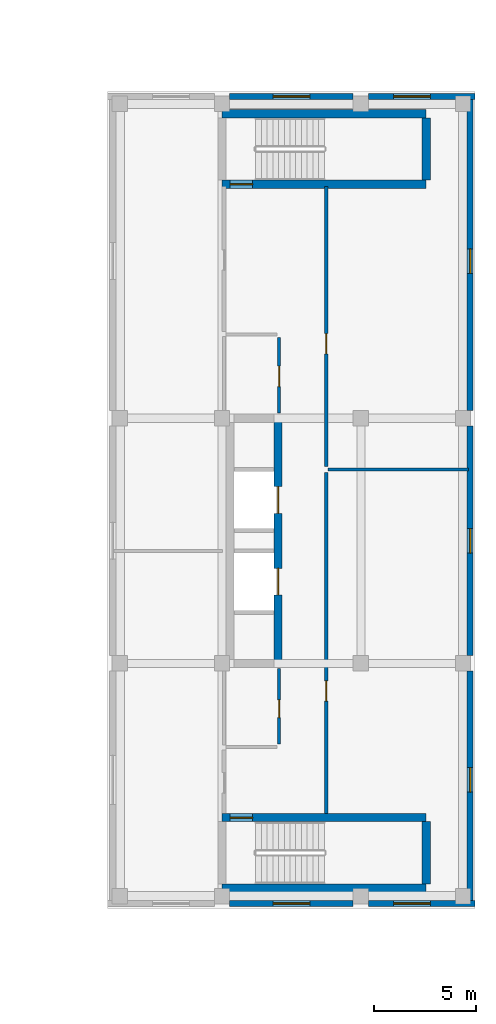
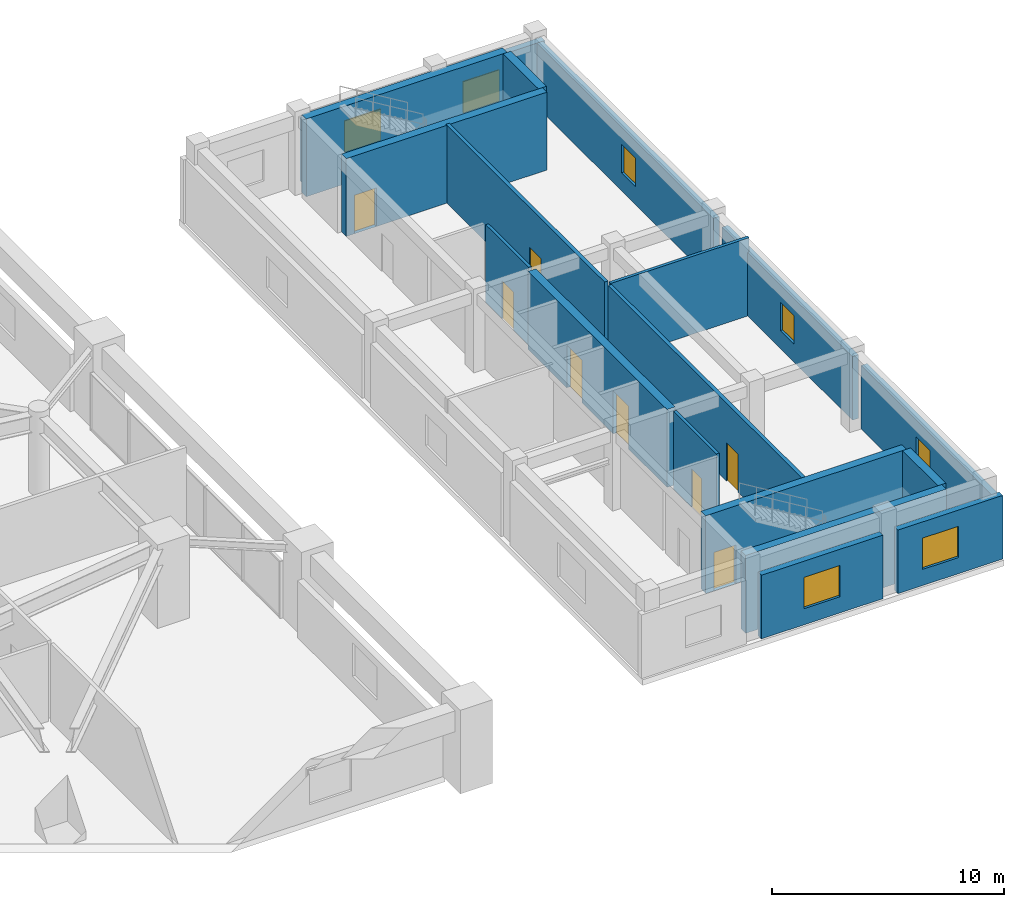
# One storey, part 17 of 22: 19 walls, 8 doors, 7 windows, 15 openings.
"""IFC4 building model written with IfcOpenShell, lengths in metres."""

from ifc_helpers import new_model, si_unit, direction, frame, frame_2d, origin, place, context, subcontext, project, spatial, rectangle, extrude, source, transform, mapped, material, layer, layer_set, type_object, element, fill, save


model = new_model("IFC4")

# Units and contexts
model_context = context("Model", 3, precision=1e-05, world=origin(), true_north=direction((0.0, 1.0)))
body_context = subcontext(model_context, "Body", "Model", "MODEL_VIEW")
ifc_project = project(units=[si_unit("LENGTHUNIT", "METRE"), si_unit("AREAUNIT", "SQUARE_METRE"), si_unit("VOLUMEUNIT", "CUBIC_METRE"), si_unit("PLANEANGLEUNIT", "RADIAN"), si_unit("MASSUNIT", "GRAM", prefix="KILO")], contexts=[model_context])

# Site, building, storey
site_placement = place(None, origin())
site = spatial("IfcSite", under=ifc_project, at=site_placement, CompositionType="ELEMENT")
building_placement = place(site_placement, origin())
building = spatial("IfcBuilding", under=site, at=building_placement, Name="Veraguas Prism Commons", CompositionType="ELEMENT")
storey_placement = place(building_placement, frame((0.0, 0.0, 5.199951171875)))
storey = spatial("IfcBuildingStorey", under=building, at=storey_placement, Name="L01", CompositionType="ELEMENT", Elevation=5.199951171875)

# Wall, openings, doors
ifc_material_1 = material(Name="Concrete C50/60", Category="concrete")
ifc_layer_1 = layer(ifc_material_1, 0.39990234375, Name="Clinic and Mid Core Shear Wall RC 400", Category="concrete")
ifc_layer_set_1 = layer_set([ifc_layer_1], Name="Concrete C50/60")
wall_type_1 = type_object("IfcWallType", Name="Clinic and Mid Core Shear Wall RC 400", PredefinedType="SHEAR", material=ifc_layer_set_1)
wall_1_placement = place(storey_placement, frame((65.35009765625, 16.0, 0.0), z_axis=(0.0, 0.0, 1.0), x_axis=(0.0, 1.0, 0.0)))
wall_1 = element("IfcWall", 1, at=wall_1_placement, inside=storey, type_object=wall_type_1, Name="Health Centre Lift Core Front Shear Wall L01", PredefinedType="SHEAR", context=body_context, shape_type="SweptSolid", body=[
    extrude(rectangle(XDim=12.0, YDim=0.39990234375, at=frame_2d((6.0, 0.0))), origin(), (0.0, 0.0, 1.0), 4.10009765625),
])
opening_1_placement = place(wall_1_placement, frame((3.35009765625, 0.0, 0.0)))
opening_1 = element("IfcOpeningElement", 2, at=opening_1_placement, cuts=wall_1, Name="Opening LD-02", PredefinedType="OPENING", context=body_context, shape_type="SweptSolid", body=[
    extrude(rectangle(XDim=1.300048828125, YDim=2.25, at=frame_2d((0.64990234375, 1.125))), frame((0.0, 0.2099609375, 0.0), z_axis=(0.0, -1.0, 0.0), x_axis=(1.0, 0.0, 0.0)), (0.0, 0.0, 1.0), 0.419921875),
])
opening_2_placement = place(wall_1_placement, frame((7.35009765625, 0.0, 0.0)))
opening_2 = element("IfcOpeningElement", 3, at=opening_2_placement, cuts=wall_1, Name="Opening LD-02", PredefinedType="OPENING", context=body_context, shape_type="SweptSolid", body=[
    extrude(rectangle(XDim=1.300048828125, YDim=2.25, at=frame_2d((0.64990234375, 1.125))), frame((0.0, 0.2099609375, 0.0), z_axis=(0.0, -1.0, 0.0), x_axis=(1.0, 0.0, 0.0)), (0.0, 0.0, 1.0), 0.419921875),
])
ifc_material_2 = material(Name="Stainless steel AISI 316", Category="steel")
door_type_1 = type_object("IfcDoorType", Name="Firefighting Lift Sliding Landing Door 1300x2250", OperationType="NOTDEFINED", PredefinedType="DOOR", material=ifc_material_2)
shared_shape_1 = source(origin(), body_context, "Body", "SweptSolid", [
    extrude(rectangle(XDim=1.300048828125, YDim=2.25, at=frame_2d((0.64990234375, 1.125))), frame((0.0, 0.02490234375, 0.0), z_axis=(0.0, -1.0, 0.0), x_axis=(1.0, 0.0, 0.0)), (0.0, 0.0, 1.0), 0.050048828125),
])
door_1_placement = place(opening_1_placement, origin())
door_1 = element("IfcDoor", 4, at=door_1_placement, inside=storey, type_object=door_type_1, Name="Health Centre Lift CL-1 Door L01", OperationType="SLIDING_TO_LEFT", OverallHeight=2.25, OverallWidth=1.300048828125, PredefinedType="DOOR", context=body_context, shape_type="MappedRepresentation", body=[
    mapped(shared_shape_1, transform((0.0, 0.0, 0.0), scale=1.0)),
])
fill(opening_1, door_1)
door_2_placement = place(opening_2_placement, origin())
door_2 = element("IfcDoor", 5, at=door_2_placement, inside=storey, type_object=door_type_1, Name="Health Centre Lift CL-2 Door L01", OperationType="SLIDING_TO_LEFT", OverallHeight=2.25, OverallWidth=1.300048828125, PredefinedType="DOOR", context=body_context, shape_type="MappedRepresentation", body=[
    mapped(shared_shape_1, transform((0.0, 0.0, 0.0), scale=1.0)),
])
fill(opening_2, door_2)

# Wall
wall_2_placement = place(storey_placement, frame((62.60009765625, 5.0, 0.0), z_axis=(0.0, 0.0, 1.0), x_axis=(1.0, 0.0, 0.0)))
element("IfcWall", 6, at=wall_2_placement, inside=storey, type_object=wall_type_1, Name="ST-H1 South Shear Wall L01", PredefinedType="SHEAR", context=body_context, shape_type="SweptSolid", body=[
    extrude(rectangle(XDim=10.0, YDim=0.39990234375, at=frame_2d((5.0, 0.0))), origin(), (0.0, 0.0, 1.0), 4.10009765625),
])

# Wall, opening, door
wall_3_placement = place(storey_placement, frame((62.60009765625, 8.449951171875, 0.0), z_axis=(0.0, 0.0, 1.0), x_axis=(1.0, 0.0, 0.0)))
wall_3 = element("IfcWall", 7, at=wall_3_placement, inside=storey, type_object=wall_type_1, Name="ST-H1 North Shear Wall L01", PredefinedType="SHEAR", context=body_context, shape_type="SweptSolid", body=[
    extrude(rectangle(XDim=10.0, YDim=0.39990234375, at=frame_2d((5.0, 0.0))), origin(), (0.0, 0.0, 1.0), 4.10009765625),
])
opening_3_placement = place(wall_3_placement, frame((0.39990234375, 0.0, 0.0)))
opening_3 = element("IfcOpeningElement", 8, at=opening_3_placement, cuts=wall_3, Name="Opening DR-05", PredefinedType="OPENING", context=body_context, shape_type="SweptSolid", body=[
    extrude(rectangle(XDim=1.10009765625, YDim=2.030029296875, at=frame_2d((0.550048828125, 1.01513671875))), frame((0.0, 0.2099609375, 0.0), z_axis=(0.0, -1.0, 0.0), x_axis=(1.0, 0.0, 0.0)), (0.0, 0.0, 1.0), 0.419921875),
])
ifc_material_3 = material(Name="Steel fire-rated door assembly", Category="steel")
door_type_2 = type_object("IfcDoorType", Name="Protected Stair and Refuge Fire Door 1100x2030", OperationType="NOTDEFINED", PredefinedType="DOOR", material=ifc_material_3)
shared_shape_2 = source(origin(), body_context, "Body", "SweptSolid", [
    extrude(rectangle(XDim=1.10009765625, YDim=2.030029296875, at=frame_2d((0.550048828125, 1.01513671875))), frame((0.0, 0.02490234375, 0.0), z_axis=(0.0, -1.0, 0.0), x_axis=(1.0, 0.0, 0.0)), (0.0, 0.0, 1.0), 0.050048828125),
])
door_3_placement = place(opening_3_placement, origin())
door_3 = element("IfcDoor", 9, at=door_3_placement, inside=storey, type_object=door_type_2, Name="Health Centre Stair ST-H1 Door L01", OperationType="SINGLE_SWING_LEFT", OverallHeight=2.030029296875, OverallWidth=1.10009765625, PredefinedType="DOOR", context=body_context, shape_type="MappedRepresentation", body=[
    mapped(shared_shape_2, transform((0.0, 0.0, 0.0), scale=1.0)),
])
fill(opening_3, door_3)

# Wall
wall_4_placement = place(storey_placement, frame((72.60009765625, 5.199951171875, 0.0), z_axis=(0.0, 0.0, 1.0), x_axis=(0.0, 1.0, 0.0)))
element("IfcWall", 10, at=wall_4_placement, inside=storey, type_object=wall_type_1, Name="ST-H1 East Shear Wall L01", PredefinedType="SHEAR", context=body_context, shape_type="SweptSolid", body=[
    extrude(rectangle(XDim=3.050048828125, YDim=0.39990234375, at=frame_2d((1.52490234375, 0.0))), origin(), (0.0, 0.0, 1.0), 4.10009765625),
])

# Wall, opening, door
wall_5_placement = place(storey_placement, frame((62.60009765625, 39.4599609375, 0.0), z_axis=(0.0, 0.0, 1.0), x_axis=(1.0, 0.0, 0.0)))
wall_5 = element("IfcWall", 11, at=wall_5_placement, inside=storey, type_object=wall_type_1, Name="ST-H2 South Shear Wall L01", PredefinedType="SHEAR", context=body_context, shape_type="SweptSolid", body=[
    extrude(rectangle(XDim=10.0, YDim=0.39990234375, at=frame_2d((5.0, 0.0))), origin(), (0.0, 0.0, 1.0), 4.10009765625),
])
opening_4_placement = place(wall_5_placement, frame((0.39990234375, 0.0, 0.0)))
opening_4 = element("IfcOpeningElement", 12, at=opening_4_placement, cuts=wall_5, Name="Opening DR-05", PredefinedType="OPENING", context=body_context, shape_type="SweptSolid", body=[
    extrude(rectangle(XDim=1.10009765625, YDim=2.030029296875, at=frame_2d((0.550048828125, 1.01513671875))), frame((0.0, 0.2099609375, 0.0), z_axis=(0.0, -1.0, 0.0), x_axis=(1.0, 0.0, 0.0)), (0.0, 0.0, 1.0), 0.419921875),
])
door_4_placement = place(opening_4_placement, origin())
door_4 = element("IfcDoor", 13, at=door_4_placement, inside=storey, type_object=door_type_2, Name="Health Centre Stair ST-H2 Door L01", OperationType="SINGLE_SWING_RIGHT", OverallHeight=2.030029296875, OverallWidth=1.10009765625, PredefinedType="DOOR", context=body_context, shape_type="MappedRepresentation", body=[
    mapped(shared_shape_2, transform((0.0, 0.0, 0.0), scale=1.0)),
])
fill(opening_4, door_4)

# Walls
wall_6_placement = place(storey_placement, frame((62.60009765625, 42.909912109375, 0.0), z_axis=(0.0, 0.0, 1.0), x_axis=(1.0, 0.0, 0.0)))
element("IfcWall", 14, at=wall_6_placement, inside=storey, type_object=wall_type_1, Name="ST-H2 North Shear Wall L01", PredefinedType="SHEAR", context=body_context, shape_type="SweptSolid", body=[
    extrude(rectangle(XDim=10.0, YDim=0.39990234375, at=frame_2d((5.0, 0.0))), origin(), (0.0, 0.0, 1.0), 4.10009765625),
])
wall_7_placement = place(storey_placement, frame((72.60009765625, 39.659912109375, 0.0), z_axis=(0.0, 0.0, 1.0), x_axis=(0.0, 1.0, 0.0)))
element("IfcWall", 15, at=wall_7_placement, inside=storey, type_object=wall_type_1, Name="ST-H2 East Shear Wall L01", PredefinedType="SHEAR", context=body_context, shape_type="SweptSolid", body=[
    extrude(rectangle(XDim=3.050048828125, YDim=0.39990234375, at=frame_2d((1.52490234375, 0.0))), origin(), (0.0, 0.0, 1.0), 4.10009765625),
])

# Wall, opening, door
ifc_material_4 = material(Name="Autoclaved aerated masonry block 10 MPa", Category="masonry")
ifc_layer_2 = layer(ifc_material_4, 0.179931640625, Name="Corridor and Inter-Tenancy Partition 180", Category="masonry")
ifc_layer_set_2 = layer_set([ifc_layer_2], Name="Autoclaved aerated masonry block 10 MPa")
wall_type_2 = type_object("IfcWallType", Name="Corridor and Inter-Tenancy Partition 180", PredefinedType="PARTITIONING", material=ifc_layer_set_2)
wall_8_placement = place(storey_placement, frame((67.699951171875, 8.64990234375, 0.0), z_axis=(0.0, 0.0, 1.0), x_axis=(0.0, 1.0, 0.0)))
wall_8 = element("IfcWall", 16, at=wall_8_placement, inside=storey, type_object=wall_type_2, Name="WL-L01-HCPT08", PredefinedType="PARTITIONING", context=body_context, shape_type="SweptSolid", body=[
    extrude(rectangle(XDim=16.7001953125, YDim=0.179931640625, at=frame_2d((8.35009765625, 0.0))), origin(), (0.0, 0.0, 1.0), 4.10009765625),
])
opening_5_placement = place(wall_8_placement, frame((5.5, 0.0, 0.0)))
opening_5 = element("IfcOpeningElement", 17, at=opening_5_placement, cuts=wall_8, Name="Opening DR-13", PredefinedType="OPENING", context=body_context, shape_type="SweptSolid", body=[
    extrude(rectangle(XDim=1.0, YDim=2.010009765625, at=frame_2d((0.5, 1.0048828125))), frame((0.0, 0.099853515625, 0.0), z_axis=(0.0, -1.0, 0.0), x_axis=(1.0, 0.0, 0.0)), (0.0, 0.0, 1.0), 0.199951171875),
])
door_type_3 = type_object("IfcDoorType", Name="Core Accessible WC and Clinic Fire Door 1000x2010", OperationType="NOTDEFINED", PredefinedType="DOOR", material=ifc_material_3)
shared_shape_3 = source(origin(), body_context, "Body", "SweptSolid", [
    extrude(rectangle(XDim=1.0, YDim=2.010009765625, at=frame_2d((0.5, 1.0048828125))), frame((0.0, 0.02490234375, 0.0), z_axis=(0.0, -1.0, 0.0), x_axis=(1.0, 0.0, 0.0)), (0.0, 0.0, 1.0), 0.050048828125),
])
door_5_placement = place(opening_5_placement, origin())
door_5 = element("IfcDoor", 18, at=door_5_placement, inside=storey, type_object=door_type_3, Name="Vaccination and Nursing Suite Door", OperationType="SINGLE_SWING_RIGHT", OverallHeight=2.010009765625, OverallWidth=1.0, PredefinedType="DOOR", context=body_context, shape_type="MappedRepresentation", body=[
    mapped(shared_shape_3, transform((0.0, 0.0, 0.0), scale=1.0)),
])
fill(opening_5, door_5)

wall_9_placement = place(storey_placement, frame((67.699951171875, 25.64990234375, 0.0), z_axis=(0.0, 0.0, 1.0), x_axis=(0.0, 1.0, 0.0)))
wall_9 = element("IfcWall", 19, at=wall_9_placement, inside=storey, type_object=wall_type_2, Name="WL-L01-HCPT09", PredefinedType="PARTITIONING", context=body_context, shape_type="SweptSolid", body=[
    extrude(rectangle(XDim=13.7001953125, YDim=0.179931640625, at=frame_2d((6.85009765625, 0.0))), origin(), (0.0, 0.0, 1.0), 4.10009765625),
])
opening_6_placement = place(wall_9_placement, frame((5.5, 0.0, 0.0)))
opening_6 = element("IfcOpeningElement", 20, at=opening_6_placement, cuts=wall_9, Name="Opening DR-13", PredefinedType="OPENING", context=body_context, shape_type="SweptSolid", body=[
    extrude(rectangle(XDim=1.0, YDim=2.010009765625, at=frame_2d((0.5, 1.0048828125))), frame((0.0, 0.099853515625, 0.0), z_axis=(0.0, -1.0, 0.0), x_axis=(1.0, 0.0, 0.0)), (0.0, 0.0, 1.0), 0.199951171875),
])
door_6_placement = place(opening_6_placement, origin())
door_6 = element("IfcDoor", 21, at=door_6_placement, inside=storey, type_object=door_type_3, Name="Obstetric Ultrasound Exam Room Door", OperationType="SINGLE_SWING_LEFT", OverallHeight=2.010009765625, OverallWidth=1.0, PredefinedType="DOOR", context=body_context, shape_type="MappedRepresentation", body=[
    mapped(shared_shape_3, transform((0.0, 0.0, 0.0), scale=1.0)),
])
fill(opening_6, door_6)

# Wall, opening, window
ifc_material_5 = material(Name="Precast concrete C40/50", Category="concrete")
ifc_layer_3 = layer(ifc_material_5, 0.300048828125, Name="External Precast Facade Wall 300", Category="concrete")
ifc_layer_set_3 = layer_set([ifc_layer_3], Name="Precast concrete C40/50")
wall_type_3 = type_object("IfcWallType", Name="External Precast Facade Wall 300", PredefinedType="SOLIDWALL", material=ifc_layer_set_3)
wall_10_placement = place(storey_placement, frame((62.97509765625, 4.25, 0.0), z_axis=(0.0, 0.0, 1.0), x_axis=(1.0, 0.0, 0.0)))
wall_10 = element("IfcWall", 22, at=wall_10_placement, inside=storey, type_object=wall_type_3, Name="Health Centre South Wall L01-02", PredefinedType="SOLIDWALL", context=body_context, shape_type="SweptSolid", body=[
    extrude(rectangle(XDim=6.0498046875, YDim=0.300048828125, at=frame_2d((3.02490234375, 0.0))), origin(), (0.0, 0.0, 1.0), 3.35009765625),
])
opening_7_placement = place(wall_10_placement, frame((2.125, 0.0, 0.85009765625)))
opening_7 = element("IfcOpeningElement", 23, at=opening_7_placement, cuts=wall_10, Name="Opening WN-01", PredefinedType="OPENING", context=body_context, shape_type="SweptSolid", body=[
    extrude(rectangle(XDim=1.800048828125, YDim=1.64990234375, at=frame_2d((0.89990234375, 0.824951171875))), frame((0.0, 0.159912109375, 0.0), z_axis=(0.0, -1.0, 0.0), x_axis=(1.0, 0.0, 0.0)), (0.0, 0.0, 1.0), 0.320068359375),
])
ifc_material_6 = material(Name="Laminated low-e glass", Category="glass")
window_type_1 = type_object("IfcWindowType", Name="Clinic Consulting Double Window 1800x1650", PartitioningType="DOUBLE_PANEL_VERTICAL", PredefinedType="WINDOW", material=ifc_material_6)
shared_shape_4 = source(origin(), body_context, "Body", "SweptSolid", [
    extrude(rectangle(XDim=1.800048828125, YDim=1.64990234375, at=frame_2d((0.89990234375, 0.824951171875))), frame((0.0, 0.030029296875, 0.0), z_axis=(0.0, -1.0, 0.0), x_axis=(1.0, 0.0, 0.0)), (0.0, 0.0, 1.0), 0.06005859375),
])
window_1_placement = place(opening_7_placement, origin())
window_1 = element("IfcWindow", 24, at=window_1_placement, inside=storey, type_object=window_type_1, Name="Health Centre South Window L01-02", OverallHeight=1.64990234375, OverallWidth=1.800048828125, PartitioningType="DOUBLE_PANEL_VERTICAL", PredefinedType="WINDOW", context=body_context, shape_type="MappedRepresentation", body=[
    mapped(shared_shape_4, transform((0.0, 0.0, 0.0), scale=1.0)),
])
fill(opening_7, window_1)

wall_11_placement = place(storey_placement, frame((69.77490234375, 4.25, 0.0), z_axis=(0.0, 0.0, 1.0), x_axis=(1.0, 0.0, 0.0)))
wall_11 = element("IfcWall", 25, at=wall_11_placement, inside=storey, type_object=wall_type_3, Name="Health Centre South Wall L01-03", PredefinedType="SOLIDWALL", context=body_context, shape_type="SweptSolid", body=[
    extrude(rectangle(XDim=5.22509765625, YDim=0.300048828125, at=frame_2d((2.612548828125, 0.0))), origin(), (0.0, 0.0, 1.0), 3.35009765625),
])
opening_8_placement = place(wall_11_placement, frame((1.22509765625, 0.0, 0.85009765625)))
opening_8 = element("IfcOpeningElement", 26, at=opening_8_placement, cuts=wall_11, Name="Opening WN-01", PredefinedType="OPENING", context=body_context, shape_type="SweptSolid", body=[
    extrude(rectangle(XDim=1.800048828125, YDim=1.64990234375, at=frame_2d((0.89990234375, 0.824951171875))), frame((0.0, 0.159912109375, 0.0), z_axis=(0.0, -1.0, 0.0), x_axis=(1.0, 0.0, 0.0)), (0.0, 0.0, 1.0), 0.320068359375),
])
window_2_placement = place(opening_8_placement, origin())
window_2 = element("IfcWindow", 27, at=window_2_placement, inside=storey, type_object=window_type_1, Name="Health Centre South Window L01-03", OverallHeight=1.64990234375, OverallWidth=1.800048828125, PartitioningType="DOUBLE_PANEL_VERTICAL", PredefinedType="WINDOW", context=body_context, shape_type="MappedRepresentation", body=[
    mapped(shared_shape_4, transform((0.0, 0.0, 0.0), scale=1.0)),
])
fill(opening_8, window_2)

wall_12_placement = place(storey_placement, frame((75.0, 43.75, 0.0), z_axis=(0.0, 0.0, 1.0), x_axis=(-1.0, 0.0, 0.0)))
wall_12 = element("IfcWall", 28, at=wall_12_placement, inside=storey, type_object=wall_type_3, Name="Health Centre North Wall L01-01", PredefinedType="SOLIDWALL", context=body_context, shape_type="SweptSolid", body=[
    extrude(rectangle(XDim=5.22509765625, YDim=0.300048828125, at=frame_2d((2.612548828125, 0.0))), origin(), (0.0, 0.0, 1.0), 3.35009765625),
])
opening_9_placement = place(wall_12_placement, frame((2.199951171875, 0.0, 0.85009765625)))
opening_9 = element("IfcOpeningElement", 29, at=opening_9_placement, cuts=wall_12, Name="Opening WN-01", PredefinedType="OPENING", context=body_context, shape_type="SweptSolid", body=[
    extrude(rectangle(XDim=1.800048828125, YDim=1.64990234375, at=frame_2d((0.89990234375, 0.824951171875))), frame((0.0, 0.159912109375, 0.0), z_axis=(0.0, -1.0, 0.0), x_axis=(1.0, 0.0, 0.0)), (0.0, 0.0, 1.0), 0.320068359375),
])
window_3_placement = place(opening_9_placement, origin())
window_3 = element("IfcWindow", 30, at=window_3_placement, inside=storey, type_object=window_type_1, Name="Health Centre North Window L01-01", OverallHeight=1.64990234375, OverallWidth=1.800048828125, PartitioningType="DOUBLE_PANEL_VERTICAL", PredefinedType="WINDOW", context=body_context, shape_type="MappedRepresentation", body=[
    mapped(shared_shape_4, transform((0.0, 0.0, 0.0), scale=1.0)),
])
fill(opening_9, window_3)

wall_13_placement = place(storey_placement, frame((69.02490234375, 43.75, 0.0), z_axis=(0.0, 0.0, 1.0), x_axis=(-1.0, 0.0, 0.0)))
wall_13 = element("IfcWall", 31, at=wall_13_placement, inside=storey, type_object=wall_type_3, Name="Health Centre North Wall L01-02", PredefinedType="SOLIDWALL", context=body_context, shape_type="SweptSolid", body=[
    extrude(rectangle(XDim=6.0498046875, YDim=0.300048828125, at=frame_2d((3.02490234375, 0.0))), origin(), (0.0, 0.0, 1.0), 3.35009765625),
])
opening_10_placement = place(wall_13_placement, frame((2.125, 0.0, 0.85009765625)))
opening_10 = element("IfcOpeningElement", 32, at=opening_10_placement, cuts=wall_13, Name="Opening WN-01", PredefinedType="OPENING", context=body_context, shape_type="SweptSolid", body=[
    extrude(rectangle(XDim=1.800048828125, YDim=1.64990234375, at=frame_2d((0.89990234375, 0.824951171875))), frame((0.0, 0.159912109375, 0.0), z_axis=(0.0, -1.0, 0.0), x_axis=(1.0, 0.0, 0.0)), (0.0, 0.0, 1.0), 0.320068359375),
])
window_4_placement = place(opening_10_placement, origin())
window_4 = element("IfcWindow", 33, at=window_4_placement, inside=storey, type_object=window_type_1, Name="Health Centre North Window L01-02", OverallHeight=1.64990234375, OverallWidth=1.800048828125, PartitioningType="DOUBLE_PANEL_VERTICAL", PredefinedType="WINDOW", context=body_context, shape_type="MappedRepresentation", body=[
    mapped(shared_shape_4, transform((0.0, 0.0, 0.0), scale=1.0)),
])
fill(opening_10, window_4)

wall_14_placement = place(storey_placement, frame((74.75, 4.39990234375, 0.0), z_axis=(0.0, 0.0, 1.0), x_axis=(0.0, 1.0, 0.0)))
wall_14 = element("IfcWall", 34, at=wall_14_placement, inside=storey, type_object=wall_type_3, Name="Health Centre East Wall L01-01", PredefinedType="SOLIDWALL", context=body_context, shape_type="SweptSolid", body=[
    extrude(rectangle(XDim=11.22509765625, YDim=0.300048828125, at=frame_2d((5.612548828125, 0.0))), origin(), (0.0, 0.0, 1.0), 3.35009765625),
])
opening_11_placement = place(wall_14_placement, frame((5.300048828125, 0.0, 0.949951171875)))
opening_11 = element("IfcOpeningElement", 35, at=opening_11_placement, cuts=wall_14, Name="Opening WN-03", PredefinedType="OPENING", context=body_context, shape_type="SweptSolid", body=[
    extrude(rectangle(XDim=1.199951171875, YDim=1.5, at=frame_2d((0.60009765625, 0.75))), frame((0.0, 0.159912109375, 0.0), z_axis=(0.0, -1.0, 0.0), x_axis=(1.0, 0.0, 0.0)), (0.0, 0.0, 1.0), 0.320068359375),
])
window_type_2 = type_object("IfcWindowType", Name="Clinic Treatment Window 1200x1500", PartitioningType="SINGLE_PANEL", PredefinedType="WINDOW", material=ifc_material_6)
shared_shape_5 = source(origin(), body_context, "Body", "SweptSolid", [
    extrude(rectangle(XDim=1.199951171875, YDim=1.5, at=frame_2d((0.60009765625, 0.75))), frame((0.0, 0.030029296875, 0.0), z_axis=(0.0, -1.0, 0.0), x_axis=(1.0, 0.0, 0.0)), (0.0, 0.0, 1.0), 0.06005859375),
])
window_5_placement = place(opening_11_placement, origin())
window_5 = element("IfcWindow", 36, at=window_5_placement, inside=storey, type_object=window_type_2, Name="Health Centre East Window L01-01", OverallHeight=1.5, OverallWidth=1.199951171875, PartitioningType="SINGLE_PANEL", PredefinedType="WINDOW", context=body_context, shape_type="MappedRepresentation", body=[
    mapped(shared_shape_5, transform((0.0, 0.0, 0.0), scale=1.0)),
])
fill(opening_11, window_5)

wall_15_placement = place(storey_placement, frame((74.75, 16.375, 0.0), z_axis=(0.0, 0.0, 1.0), x_axis=(0.0, 1.0, 0.0)))
wall_15 = element("IfcWall", 37, at=wall_15_placement, inside=storey, type_object=wall_type_3, Name="Health Centre East Wall L01-02", PredefinedType="SOLIDWALL", context=body_context, shape_type="SweptSolid", body=[
    extrude(rectangle(XDim=11.25, YDim=0.300048828125, at=frame_2d((5.625, 0.0))), origin(), (0.0, 0.0, 1.0), 3.35009765625),
])
opening_12_placement = place(wall_15_placement, frame((5.02490234375, 0.0, 0.949951171875)))
opening_12 = element("IfcOpeningElement", 38, at=opening_12_placement, cuts=wall_15, Name="Opening WN-03", PredefinedType="OPENING", context=body_context, shape_type="SweptSolid", body=[
    extrude(rectangle(XDim=1.199951171875, YDim=1.5, at=frame_2d((0.60009765625, 0.75))), frame((0.0, 0.159912109375, 0.0), z_axis=(0.0, -1.0, 0.0), x_axis=(1.0, 0.0, 0.0)), (0.0, 0.0, 1.0), 0.320068359375),
])
window_6_placement = place(opening_12_placement, origin())
window_6 = element("IfcWindow", 39, at=window_6_placement, inside=storey, type_object=window_type_2, Name="Health Centre East Window L01-02", OverallHeight=1.5, OverallWidth=1.199951171875, PartitioningType="SINGLE_PANEL", PredefinedType="WINDOW", context=body_context, shape_type="MappedRepresentation", body=[
    mapped(shared_shape_5, transform((0.0, 0.0, 0.0), scale=1.0)),
])
fill(opening_12, window_6)

wall_16_placement = place(storey_placement, frame((74.75, 28.375, 0.0), z_axis=(0.0, 0.0, 1.0), x_axis=(0.0, 1.0, 0.0)))
wall_16 = element("IfcWall", 40, at=wall_16_placement, inside=storey, type_object=wall_type_3, Name="Health Centre East Wall L01-03", PredefinedType="SOLIDWALL", context=body_context, shape_type="SweptSolid", body=[
    extrude(rectangle(XDim=15.22509765625, YDim=0.300048828125, at=frame_2d((7.612548828125, 0.0))), origin(), (0.0, 0.0, 1.0), 3.35009765625),
])
opening_13_placement = place(wall_16_placement, frame((6.72509765625, 0.0, 0.949951171875)))
opening_13 = element("IfcOpeningElement", 41, at=opening_13_placement, cuts=wall_16, Name="Opening WN-03", PredefinedType="OPENING", context=body_context, shape_type="SweptSolid", body=[
    extrude(rectangle(XDim=1.199951171875, YDim=1.5, at=frame_2d((0.60009765625, 0.75))), frame((0.0, 0.159912109375, 0.0), z_axis=(0.0, -1.0, 0.0), x_axis=(1.0, 0.0, 0.0)), (0.0, 0.0, 1.0), 0.320068359375),
])
window_7_placement = place(opening_13_placement, origin())
window_7 = element("IfcWindow", 42, at=window_7_placement, inside=storey, type_object=window_type_2, Name="Health Centre East Window L01-03", OverallHeight=1.5, OverallWidth=1.199951171875, PartitioningType="SINGLE_PANEL", PredefinedType="WINDOW", context=body_context, shape_type="MappedRepresentation", body=[
    mapped(shared_shape_5, transform((0.0, 0.0, 0.0), scale=1.0)),
])
fill(opening_13, window_7)

# Wall, opening, door
ifc_material_7 = material(Name="Lightweight acoustic gypsum board")
ifc_layer_4 = layer(ifc_material_7, 0.14990234375, Name="Wet Room and Clinic Acoustic Partition 150")
ifc_layer_set_4 = layer_set([ifc_layer_4], Name="Lightweight acoustic gypsum board")
wall_type_4 = type_object("IfcWallType", Name="Wet Room and Clinic Acoustic Partition 150", PredefinedType="PARTITIONING", material=ifc_layer_set_4)
wall_17_placement = place(storey_placement, frame((65.39990234375, 12.050048828125, 0.0), z_axis=(0.0, 0.0, 1.0), x_axis=(0.0, 1.0, 0.0)))
wall_17 = element("IfcWall", 43, at=wall_17_placement, inside=storey, type_object=wall_type_4, Name="WL-L01-HCPT02", PredefinedType="PARTITIONING", context=body_context, shape_type="SweptSolid", body=[
    extrude(rectangle(XDim=3.699951171875, YDim=0.14990234375, at=frame_2d((1.85009765625, 0.0))), origin(), (0.0, 0.0, 1.0), 4.10009765625),
])
opening_14_placement = place(wall_17_placement, frame((1.300048828125, 0.0, 0.0)))
opening_14 = element("IfcOpeningElement", 44, at=opening_14_placement, cuts=wall_17, Name="Opening DR-12", PredefinedType="OPENING", context=body_context, shape_type="SweptSolid", body=[
    extrude(rectangle(XDim=0.860107421875, YDim=2.010009765625, at=frame_2d((0.43017578125, 1.0048828125))), frame((0.0, 0.0849609375, 0.0), z_axis=(0.0, -1.0, 0.0), x_axis=(1.0, 0.0, 0.0)), (0.0, 0.0, 1.0), 0.169921875),
])
door_type_4 = type_object("IfcDoorType", Name="Core WC Fire Door 860x2010", OperationType="NOTDEFINED", PredefinedType="DOOR", material=ifc_material_3)
shared_shape_6 = source(origin(), body_context, "Body", "SweptSolid", [
    extrude(rectangle(XDim=0.860107421875, YDim=2.010009765625, at=frame_2d((0.43017578125, 1.0048828125))), frame((0.0, 0.02490234375, 0.0), z_axis=(0.0, -1.0, 0.0), x_axis=(1.0, 0.0, 0.0)), (0.0, 0.0, 1.0), 0.050048828125),
])
door_7_placement = place(opening_14_placement, origin())
door_7 = element("IfcDoor", 45, at=door_7_placement, inside=storey, type_object=door_type_4, Name="Clinic WC Door L01", OperationType="SINGLE_SWING_RIGHT", OverallHeight=2.010009765625, OverallWidth=0.860107421875, PredefinedType="DOOR", context=body_context, shape_type="MappedRepresentation", body=[
    mapped(shared_shape_6, transform((0.0, 0.0, 0.0), scale=1.0)),
])
fill(opening_14, door_7)

wall_18_placement = place(storey_placement, frame((65.39990234375, 28.25, 0.0), z_axis=(0.0, 0.0, 1.0), x_axis=(0.0, 1.0, 0.0)))
wall_18 = element("IfcWall", 46, at=wall_18_placement, inside=storey, type_object=wall_type_4, Name="WL-L01-HCPT04", PredefinedType="PARTITIONING", context=body_context, shape_type="SweptSolid", body=[
    extrude(rectangle(XDim=3.699951171875, YDim=0.14990234375, at=frame_2d((1.85009765625, 0.0))), origin(), (0.0, 0.0, 1.0), 4.10009765625),
])
opening_15_placement = place(wall_18_placement, frame((1.300048828125, 0.0, 0.0)))
opening_15 = element("IfcOpeningElement", 47, at=opening_15_placement, cuts=wall_18, Name="Opening DR-13", PredefinedType="OPENING", context=body_context, shape_type="SweptSolid", body=[
    extrude(rectangle(XDim=1.0, YDim=2.010009765625, at=frame_2d((0.5, 1.0048828125))), frame((0.0, 0.0849609375, 0.0), z_axis=(0.0, -1.0, 0.0), x_axis=(1.0, 0.0, 0.0)), (0.0, 0.0, 1.0), 0.169921875),
])
door_8_placement = place(opening_15_placement, origin())
door_8 = element("IfcDoor", 48, at=door_8_placement, inside=storey, type_object=door_type_3, Name="Clinic Accessible WC Door L01", OperationType="SINGLE_SWING_LEFT", OverallHeight=2.010009765625, OverallWidth=1.0, PredefinedType="DOOR", context=body_context, shape_type="MappedRepresentation", body=[
    mapped(shared_shape_3, transform((0.0, 0.0, 0.0), scale=1.0)),
])
fill(opening_15, door_8)

# Wall
wall_19_placement = place(storey_placement, frame((67.780029296875, 25.5, 0.0), z_axis=(0.0, 0.0, 1.0), x_axis=(1.0, 0.0, 0.0)))
element("IfcWall", 49, at=wall_19_placement, inside=storey, type_object=wall_type_4, Name="WL-L01-HCPT10", PredefinedType="PARTITIONING", context=body_context, shape_type="SweptSolid", body=[
    extrude(rectangle(XDim=6.89990234375, YDim=0.14990234375, at=frame_2d((3.449951171875, 0.0))), origin(), (0.0, 0.0, 1.0), 4.10009765625),
])

save(model, "model.ifc")
